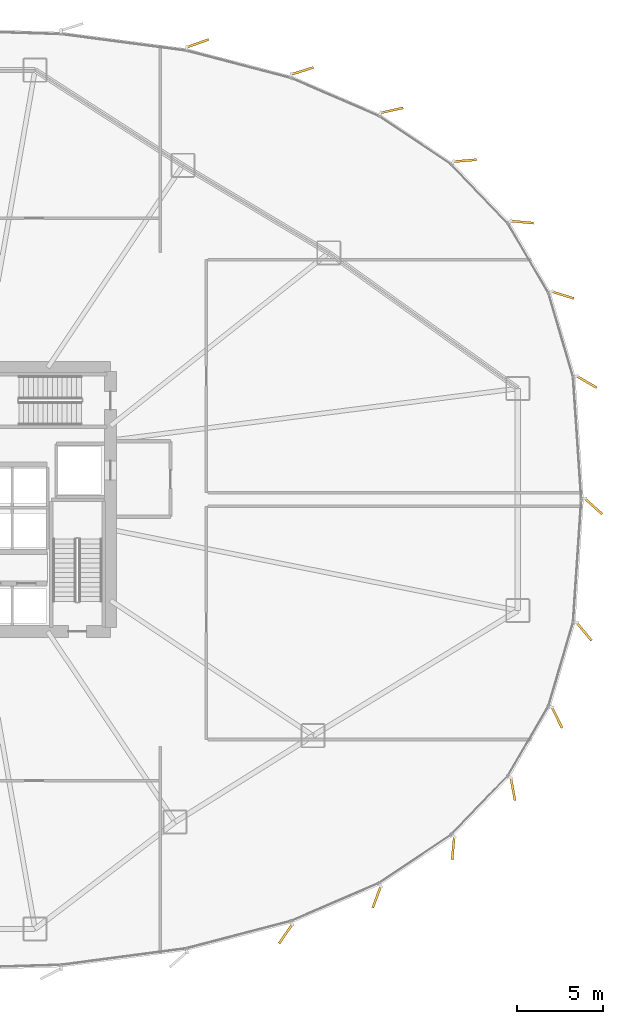
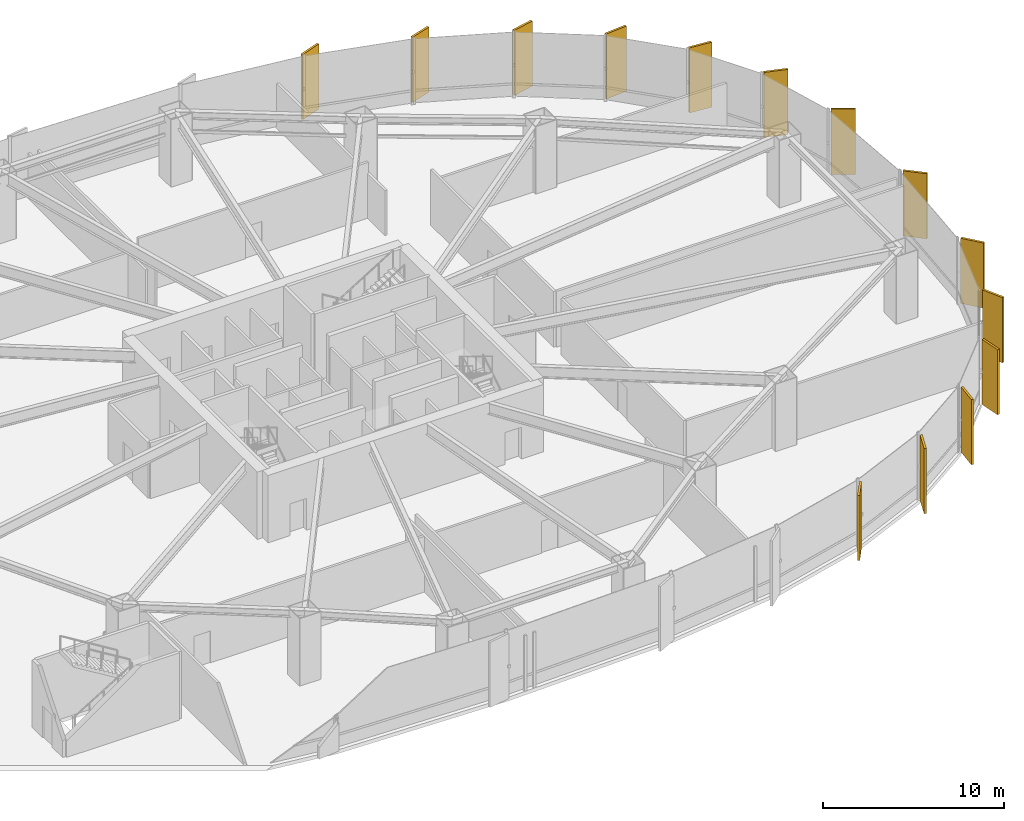
# One storey, part 34 of 34: 14 coverings.
"""IFC4 building model written with IfcOpenShell, lengths in metres."""

from ifc_helpers import new_model, si_unit, direction, frame, origin, origin_2d, place, context, subcontext, project, spatial, rectangle, extrude, source, transform, mapped, material, layer, layer_set, type_object, element, save


model = new_model("IFC4")

# Units and contexts
model_context = context("Model", 3, precision=1e-05, world=origin(), true_north=direction((0.0, 1.0)))
body_context = subcontext(model_context, "Body", "Model", "MODEL_VIEW")
ifc_project = project(units=[si_unit("LENGTHUNIT", "METRE"), si_unit("AREAUNIT", "SQUARE_METRE"), si_unit("VOLUMEUNIT", "CUBIC_METRE"), si_unit("PLANEANGLEUNIT", "RADIAN"), si_unit("MASSUNIT", "GRAM", prefix="KILO"), si_unit("THERMODYNAMICTEMPERATUREUNIT", "KELVIN")], contexts=[model_context])

# Site, building, storey
site_placement = place(None, origin())
site = spatial("IfcSite", under=ifc_project, at=site_placement, CompositionType="ELEMENT")
building_placement = place(site_placement, origin())
building = spatial("IfcBuilding", under=site, at=building_placement, Name="Kethvar Cultural Tower", CompositionType="ELEMENT")
storey_placement = place(building_placement, frame((0.0, 0.0, 5.199951171875)))
storey = spatial("IfcBuildingStorey", under=building, at=storey_placement, Name="L01", CompositionType="ELEMENT", Elevation=5.199951171875)

# Coverings
ifc_material = material(Name="Extruded Architectural Terracotta", Category="masonry")
ifc_layer = layer(ifc_material, 0.135009765625, Name="Extruded Architectural Terracotta", Category="masonry")
ifc_layer_set = layer_set([ifc_layer], Name="Extruded Architectural Terracotta (135 mm)")
covering_type = type_object("IfcCoveringType", Name="Terracotta Facade Fin FIN-04", PredefinedType="CLADDING", material=ifc_layer_set)
shared_shape = source(origin(), body_context, "Body", "SweptSolid", [
    extrude(rectangle(XDim=1.35009765625, YDim=0.135009765625, at=origin_2d()), origin(), (0.0, 0.0, 1.0), 4.39990234375),
])
for number, where, z_axis, x_axis, name in (
    (1, (83.77880859375, 27.403076171875, 0.02001953125), (0.0, 0.0, 1.0), (0.744194976126, -0.66796245217, 0.0), "L01 Vertical Terracotta Fin 1.1"),
    (2, (83.37890625, 34.66357421875, 0.02001953125), (0.0, 0.0, 1.0), (0.865850818101, -0.500302269426, 0.0), "L01 Vertical Terracotta Fin 1.2"),
    (3, (81.988525390625, 39.730712890625, 0.02001953125), (0.0, 0.0, 1.0), (0.954500927457, -0.298207946716, 0.0), "L01 Vertical Terracotta Fin 1.3"),
    (4, (79.6142578125, 43.986572265625, 0.02001953125), (0.0, 0.0, 1.0), (0.995676196569, -0.092891934994, 0.0), "L01 Vertical Terracotta Fin 1.4"),
    (5, (76.2802734375, 47.56884765625, 0.02001953125), (0.0, 0.0, 1.0), (0.996478239533, 0.083851762871, 0.0), "L01 Vertical Terracotta Fin 1.5"),
    (6, (72.01708984375, 50.50341796875, 0.02001953125), (0.0, 0.0, 1.0), (0.976371499317, 0.216098809163, 0.0), "L01 Vertical Terracotta Fin 1.6"),
    (7, (66.79052734375, 52.800537109375, 0.02001953125), (0.0, 0.0, 1.0), (0.954292506446, 0.298874241346, 0.0), "L01 Vertical Terracotta Fin 2.1"),
    (8, (60.697021484375, 54.413818359375, 0.02001953125), (0.0, 0.0, 1.0), (0.943338546589, 0.331831864835, 0.0), "L01 Vertical Terracotta Fin 2.2"),
    (9, (65.822021484375, 2.4619140625, 0.02001953125), (0.0, 0.0, 1.0), (-0.567556381667, -0.823334533242, 0.0), "L01 Vertical Terracotta Fin 5.5"),
    (10, (71.1357421875, 4.61669921875, 0.02001953125), (0.0, 0.0, 1.0), (-0.348081239861, -0.9374643729, 0.0), "L01 Vertical Terracotta Fin 5.6"),
    (11, (75.5927734375, 7.461669921875, 0.02001953125), (0.0, 0.0, 1.0), (-0.091501618663, -0.995804927575, 0.0), "L01 Vertical Terracotta Fin 6.1"),
    (12, (79.076904296875, 10.90234375, 0.02001953125), (0.0, 0.0, 1.0), (0.182750331554, -0.983159354488, 0.0), "L01 Vertical Terracotta Fin 6.2"),
    (13, (81.648193359375, 15.079345703125, 0.02001953125), (0.0, 0.0, 1.0), (0.43915532554, -0.898411153119, 0.0), "L01 Vertical Terracotta Fin 6.3"),
    (14, (83.229248046875, 20.09716796875, 0.02001953125), (0.0, 0.0, 1.0), (0.639707339446, -0.768618578918, 0.0), "L01 Vertical Terracotta Fin 6.4"),
):
    element("IfcCovering", number, at=place(storey_placement, frame(where, z_axis=z_axis, x_axis=x_axis)), inside=storey, type_object=covering_type, Name=name, PredefinedType="CLADDING", context=body_context, shape_type="MappedRepresentation", body=[
        mapped(shared_shape, transform((0.0, 0.0, 0.0), scale=1.0)),
    ])

save(model, "model.ifc")
